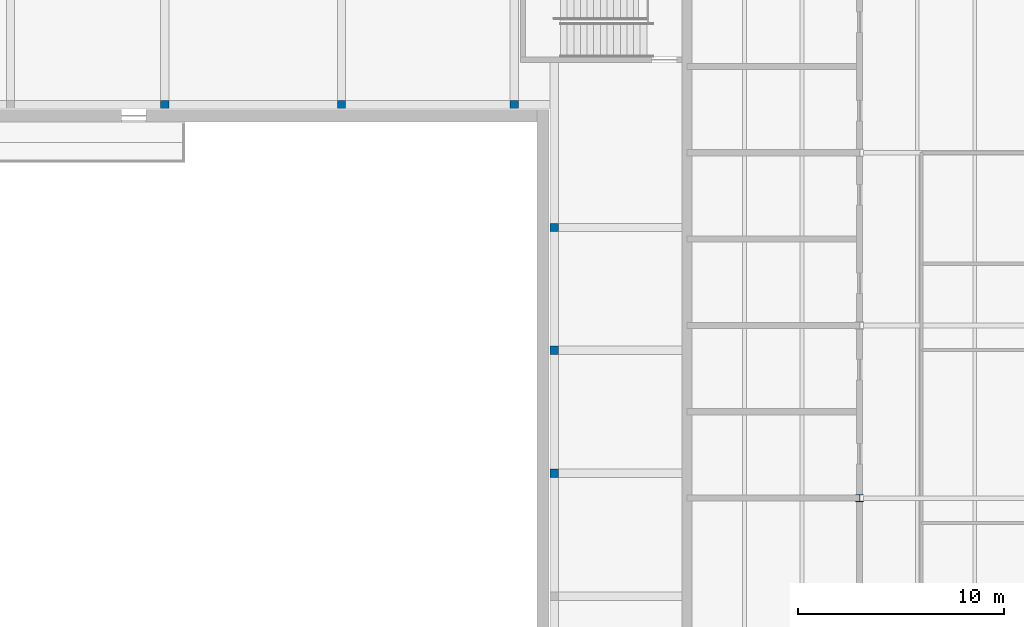
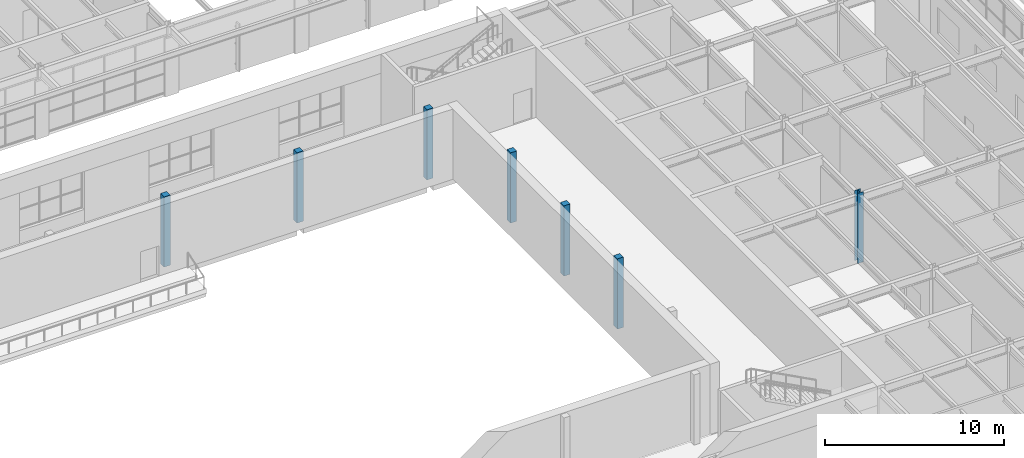
# One storey, part 11 of 116: 7 columns.
"""IFC4 building model written with IfcOpenShell, lengths in metres."""

from ifc_helpers import new_model, si_unit, direction, frame, origin, origin_2d, place, context, subcontext, project, spatial, rectangle, i_section, extrude, material, material_profile, profile_set, type_object, element, save


model = new_model("IFC4")

# Units and contexts
model_context = context("Model", 3, precision=1e-05, world=origin(), true_north=direction((0.0, 1.0)))
body_context = subcontext(model_context, "Body", "Model", "MODEL_VIEW")
ifc_project = project(units=[si_unit("LENGTHUNIT", "METRE"), si_unit("AREAUNIT", "SQUARE_METRE"), si_unit("VOLUMEUNIT", "CUBIC_METRE"), si_unit("PLANEANGLEUNIT", "RADIAN"), si_unit("MASSUNIT", "GRAM", prefix="KILO")], contexts=[model_context])

# Site, building, storey
site_placement = place(None, origin())
site = spatial("IfcSite", under=ifc_project, at=site_placement, CompositionType="ELEMENT")
building_placement = place(site_placement, origin())
building = spatial("IfcBuilding", under=site, at=building_placement, Name="Ljudholm Concert House", CompositionType="ELEMENT")
storey_placement = place(building_placement, frame((0.0, 0.0, 10.199951171875)))
storey = spatial("IfcBuildingStorey", under=building, at=storey_placement, Name="L02", CompositionType="ELEMENT", Elevation=10.199951171875)

# Columns
ifc_material_1 = material(Name="Concrete 6,500 psi", Category="concrete")
ifc_material_profile_1 = material_profile(ifc_material_1, rectangle(XDim=0.39990234375, YDim=0.39990234375, at=origin_2d()), Name="RC COLUMN 400x400")
ifc_profile_set_1 = profile_set([ifc_material_profile_1], Name="Concrete 6,500 psi")
column_type_1 = type_object("IfcColumnType", Name="RC COLUMN 400x400", PredefinedType="COLUMN", material=ifc_profile_set_1)
for number, where, z_axis, x_axis, name in (
    (1, (71.0, 90.35009765625, 0.0), (0.0, 0.0, 1.0), (1.0, 0.0, 0.0), "Ring column"),
    (2, (79.60009765625, 90.35009765625, 0.0), (0.0, 0.0, 1.0), (1.0, 0.0, 0.0), "Ring column"),
    (3, (88.0, 90.35009765625, 0.0), (0.0, 0.0, 1.0), (1.0, 0.0, 0.0), "Ring column"),
    (4, (89.949951171875, 72.409912109375, 0.0), (0.0, 0.0, 1.0), (1.0, 0.0, 0.0), "Ring column"),
    (5, (89.949951171875, 78.389892578125, 0.0), (0.0, 0.0, 1.0), (1.0, 0.0, 0.0), "Ring column"),
    (6, (89.949951171875, 84.3701171875, 0.0), (0.0, 0.0, 1.0), (1.0, 0.0, 0.0), "Ring column"),
):
    element("IfcColumn", number, at=place(storey_placement, frame(where, z_axis=z_axis, x_axis=x_axis)), inside=storey, type_object=column_type_1, Name=name, PredefinedType="COLUMN", context=body_context, shape_type="SweptSolid", body=[
        extrude(rectangle(XDim=0.39990234375, YDim=0.39990234375, at=origin_2d()), origin(), (0.0, 0.0, 1.0), 4.800048828125),
    ])
ifc_material_2 = material(Name="Steel ASTM A992", Category="steel")
ifc_material_profile_2 = material_profile(ifc_material_2, i_section(OverallWidth=0.368408203125, OverallDepth=0.355712890625, WebThickness=0.01123046875, FlangeThickness=0.01806640625, FilletRadius=0.01513671875, at=origin_2d()), Name="W14X90")
ifc_profile_set_2 = profile_set([ifc_material_profile_2], Name="Steel ASTM A992")
column_type_2 = type_object("IfcColumnType", Name="STEEL COLUMN W14X90", PredefinedType="COLUMN", material=ifc_profile_set_2)
column_placement = place(storey_placement, frame((104.800048828125, 71.199951171875, 0.0), z_axis=(0.0, 0.0, 1.0), x_axis=(1.0, 0.0, 0.0)))
element("IfcColumn", 7, at=column_placement, inside=storey, type_object=column_type_2, Name="Column BOH-L02-col-104.8-71.2", PredefinedType="COLUMN", context=body_context, shape_type="SweptSolid", body=[
    extrude(i_section(OverallWidth=0.368408203125, OverallDepth=0.355712890625, WebThickness=0.01123046875, FlangeThickness=0.01806640625, FilletRadius=0.01513671875, at=origin_2d()), origin(), (0.0, 0.0, 1.0), 4.800048828125),
])

save(model, "model.ifc")
